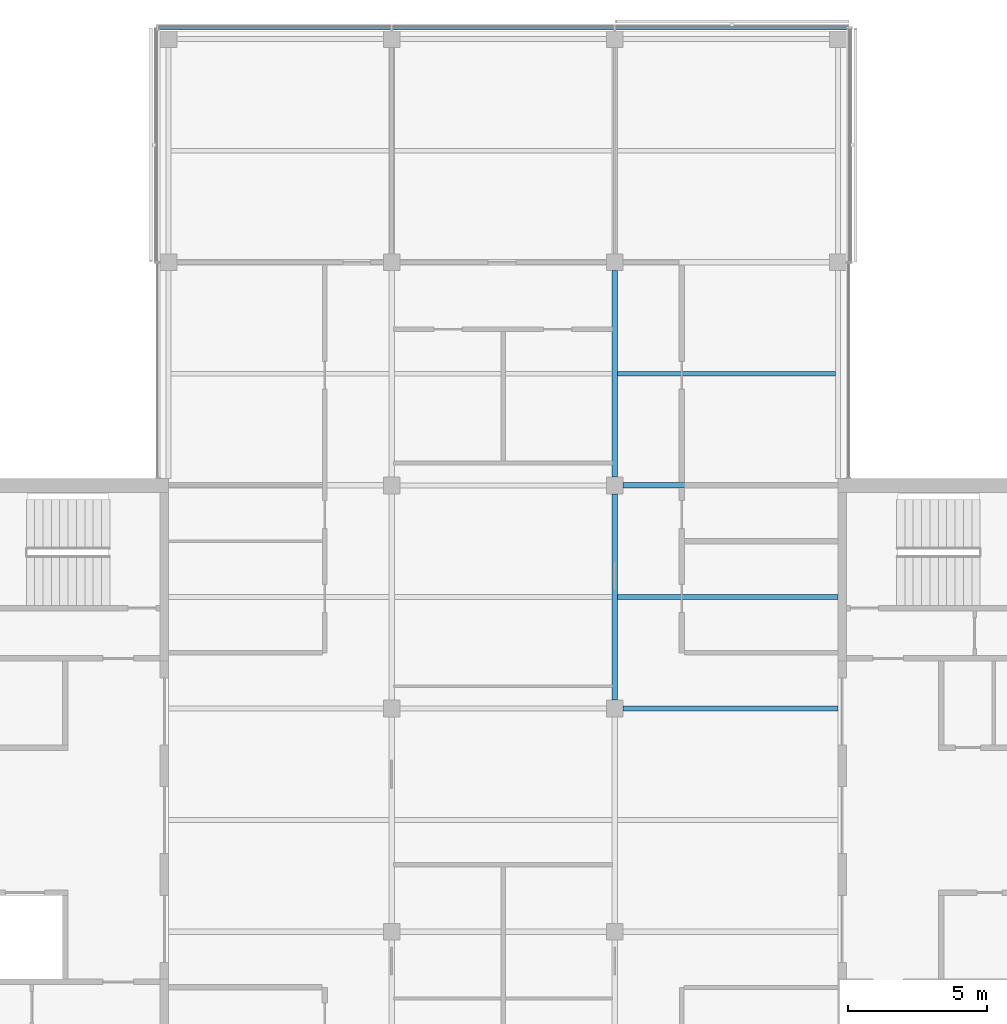
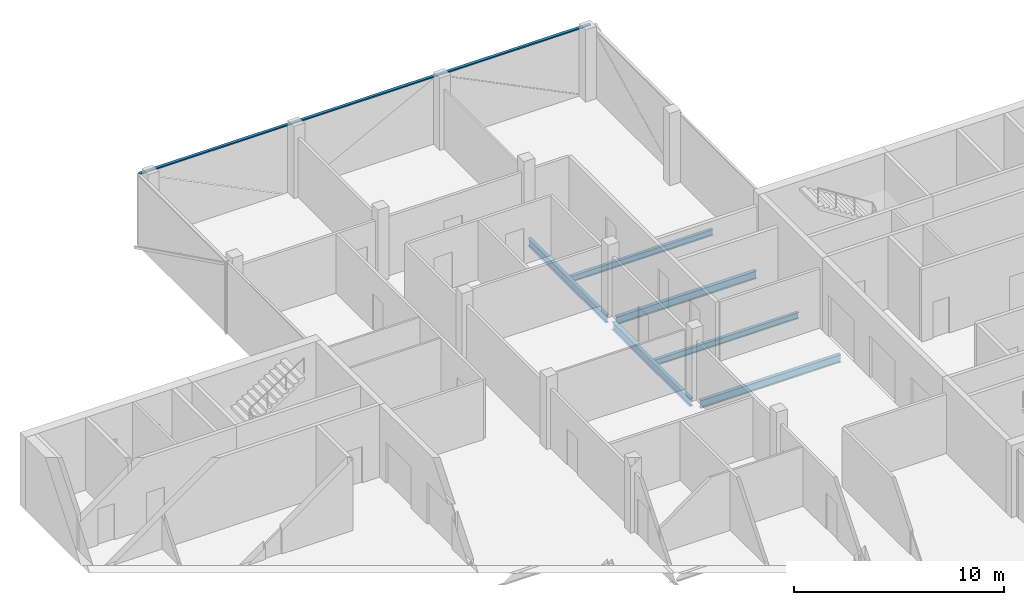
# One storey, part 6 of 16: 6 beams, 1 member, 1 element without a shape of its own.
"""IFC4 building model written with IfcOpenShell, lengths in metres."""

import ifcopenshell
import ifcopenshell.guid

model = None  # the IFC model being written
_history = None  # IfcOwnerHistory: only IFC2X3 demands one
_inside = {}  # id of a spatial element -> (the spatial element, [elements in it])
_under = {}  # id of a project, library or spatial element -> (it, [spatial elements below it])
_declared = {}  # id of a project -> (the project, [libraries it declares])
_typed = {}  # id of a type object -> (the type object, [elements of that type])
_made_of = {}  # id of a material, layer set ... -> (it, [elements and type objects made of it])


def new_model(schema):
    """Start an empty IFC model of exactly this schema.

    Asked for "IFC4X3", IfcOpenShell would pick the latest addendum, in which some entities
    have other attributes; the version numbers below select the first issue.
    IFC2X3 requires an IfcOwnerHistory on every rooted entity: one is made here for all.
    """
    global model, _history
    if schema == "IFC4X3":
        model = ifcopenshell.file(schema_version=(4, 3, 0, 0))
    else:
        model = ifcopenshell.file(schema=schema)
    _inside.clear()
    _under.clear()
    _declared.clear()
    _typed.clear()
    _made_of.clear()
    _history = None
    if model.schema == "IFC2X3":
        org = make("IfcOrganization", Name="unknown")
        user = make(
            "IfcPersonAndOrganization",
            ThePerson=make("IfcPerson", FamilyName="unknown"),
            TheOrganization=org,
        )
        app = make(
            "IfcApplication",
            ApplicationDeveloper=org,
            Version="unknown",
            ApplicationFullName="unknown",
            ApplicationIdentifier="unknown",
        )
        _history = make(
            "IfcOwnerHistory",
            OwningUser=user,
            OwningApplication=app,
            ChangeAction="ADDED",
            CreationDate=0,
        )
    return model


def make(cls, **values):
    """One entity of the class cls with the attributes given. An attribute that is None is left unset."""
    return model.create_entity(
        cls, **{name: value for name, value in values.items() if value is not None}
    )


def rooted(cls, **values):
    """An entity with a GlobalId (a new one), such as an element, a storey or a relation."""
    return make(cls, GlobalId=ifcopenshell.guid.new(), OwnerHistory=_history, **values)


def si_unit(unit_type, name, prefix=None):
    """IfcSIUnit, for example si_unit("LENGTHUNIT", "METRE", prefix="MILLI")."""
    return make("IfcSIUnit", UnitType=unit_type, Prefix=prefix, Name=name)


def assignment(units):
    """IfcUnitAssignment: the units of a project."""
    return None if units is None else make("IfcUnitAssignment", Units=units)


def point(xyz):
    """IfcCartesianPoint."""
    return None if xyz is None else make("IfcCartesianPoint", Coordinates=xyz)


def direction(xyz):
    """IfcDirection."""
    return None if xyz is None else make("IfcDirection", DirectionRatios=xyz)


def frame(location, z_axis=None, x_axis=None):
    """IfcAxis2Placement3D, a coordinate frame: its origin and axes. An axis left out is left unset."""
    return make(
        "IfcAxis2Placement3D",
        Location=point(location),
        Axis=direction(z_axis),
        RefDirection=direction(x_axis),
    )


def frame_2d(location, x_axis=None):
    """IfcAxis2Placement2D, a coordinate frame in the plane: its origin and x axis."""
    return make(
        "IfcAxis2Placement2D", Location=point(location), RefDirection=direction(x_axis)
    )


def origin():
    """The frame at (0, 0, 0) with its axes left unset."""
    return frame((0.0, 0.0, 0.0))


def origin_2d():
    """The frame at (0, 0) in the plane with its x axis left unset."""
    return frame_2d((0.0, 0.0))


def place(relative_to, where):
    """IfcLocalPlacement: puts the frame where relative to a parent placement (None: the world)."""
    return make(
        "IfcLocalPlacement", PlacementRelTo=relative_to, RelativePlacement=where
    )


def context(
    kind, dimensions, precision=None, world=None, true_north=None, identifier=None
):
    """IfcGeometricRepresentationContext, for example the 3D "Model" context."""
    return make(
        "IfcGeometricRepresentationContext",
        ContextIdentifier=identifier,
        ContextType=kind,
        CoordinateSpaceDimension=dimensions,
        Precision=precision,
        WorldCoordinateSystem=world,
        TrueNorth=true_north,
    )


def subcontext(parent, identifier, kind, view, scale=None):
    """IfcGeometricRepresentationSubContext, for example "Body" below "Model"."""
    return make(
        "IfcGeometricRepresentationSubContext",
        ContextIdentifier=identifier,
        ContextType=kind,
        ParentContext=parent,
        TargetScale=scale,
        TargetView=view,
    )


def project(units=None, contexts=None):
    """IfcProject with its units and contexts."""
    return rooted(
        "IfcProject",
        Name="project",
        RepresentationContexts=contexts,
        UnitsInContext=assignment(units),
    )


def spatial(cls, under=None, at=None, **own):
    """A site, building, storey or space (cls), placed at a placement, below another one or the project."""
    s = rooted(cls, ObjectPlacement=at, **own)
    if under is not None:
        _under.setdefault(under.id(), (under, []))[1].append(s)
    return s


def profile(cls, at=None, kind="AREA", **sizes):
    """A parametric profile (cls). Its sizes go by their IFC names, for example OverallWidth=200.0."""
    return make(cls, ProfileType=kind, Position=at, **sizes)


def rectangle(**sizes):
    """IfcRectangleProfileDef."""
    return profile("IfcRectangleProfileDef", **sizes)


def i_section(**sizes):
    """IfcIShapeProfileDef."""
    return profile("IfcIShapeProfileDef", **sizes)


def extrude(swept, where, along, depth):
    """IfcExtrudedAreaSolid: the profile swept, set in the frame where, extruded along a direction by depth."""
    return make(
        "IfcExtrudedAreaSolid",
        SweptArea=swept,
        Position=where,
        ExtrudedDirection=direction(along),
        Depth=depth,
    )


def shape(context_of_items, identifier, shape_type, items):
    """IfcShapeRepresentation: the items that make up one representation, for example the "Body"."""
    return make(
        "IfcShapeRepresentation",
        ContextOfItems=context_of_items,
        RepresentationIdentifier=identifier,
        RepresentationType=shape_type,
        Items=items,
    )


def material(Name=None, Category=None):
    """IfcMaterial."""
    return make("IfcMaterial", Name=Name, Category=Category)


def material_profile(
    of_material, cross_section, Name=None, Category=None, Priority=None
):
    """IfcMaterialProfile: a cross section and its material."""
    return make(
        "IfcMaterialProfile",
        Name=Name,
        Material=of_material,
        Profile=cross_section,
        Priority=Priority,
        Category=Category,
    )


def profile_set(profiles, Name=None, composite=None):
    """IfcMaterialProfileSet."""
    return make(
        "IfcMaterialProfileSet",
        Name=Name,
        MaterialProfiles=profiles,
        CompositeProfile=composite,
    )


def made_of(thing, what):
    """Note that an element or type object is made of a material, layer set ...; save() writes the relation."""
    if what is not None:
        _made_of.setdefault(what.id(), (what, []))[1].append(thing)
    return thing


def type_object(cls, material=None, **own):
    """A type object (cls), such as IfcWallType, which elements share."""
    return made_of(rooted(cls, **own), material)


def element(
    cls,
    number,
    at=None,
    inside=None,
    cuts=None,
    type_object=None,
    material=None,
    context=None,
    identifier="Body",
    shape_type=None,
    held_by="IfcProductDefinitionShape",
    body=None,
    shapes=None,
    **own,
):
    """One element of the class cls, such as IfcWall. Its Tag is "e" and its number.

    at: its placement. inside: the storey or other place that contains it. cuts: it is an
    opening in that element (IfcRelVoidsElement). A single representation is given by context,
    identifier, shape_type and body (its items); several are given by shapes. held_by: the class
    of the entity that holds the representations. save() writes the other relations.
    """
    e = rooted(cls, Tag="e%d" % number, ObjectPlacement=at, **own)
    if body is not None:
        shapes = [shape(context, identifier, shape_type, body)]
    if shapes is not None:
        e.Representation = make(held_by, Representations=shapes)
    if inside is not None:
        _inside.setdefault(inside.id(), (inside, []))[1].append(e)
    if cuts is not None:
        rooted(
            "IfcRelVoidsElement", RelatingBuildingElement=cuts, RelatedOpeningElement=e
        )
    if type_object is not None:
        _typed.setdefault(type_object.id(), (type_object, []))[1].append(e)
    return made_of(e, material)


def aggregate(whole, parts):
    """IfcRelAggregates: a whole, such as a stair, and the parts it consists of."""
    return rooted("IfcRelAggregates", RelatingObject=whole, RelatedObjects=parts)


def save(model, path):
    """Write the relations noted so far, then the file.

    IfcRelAggregates (storeys below a building ...), IfcRelContainedInSpatialStructure (elements
    in a storey), IfcRelDefinesByType, IfcRelAssociatesMaterial and IfcRelDeclares: one each for
    every whole, place, type object, material and project.
    """
    for whole, parts in _under.values():
        aggregate(whole, parts)
    for where, things in _inside.values():
        rooted(
            "IfcRelContainedInSpatialStructure",
            RelatedElements=things,
            RelatingStructure=where,
        )
    for kind, things in _typed.values():
        rooted("IfcRelDefinesByType", RelatedObjects=things, RelatingType=kind)
    for what, things in _made_of.values():
        rooted("IfcRelAssociatesMaterial", RelatedObjects=things, RelatingMaterial=what)
    for by, libraries in _declared.values():
        rooted("IfcRelDeclares", RelatingContext=by, RelatedDefinitions=libraries)
    model.write(path)


model = new_model("IFC4")

# Units and contexts
model_context = context("Model", 3, precision=1e-05, world=origin(), true_north=direction((0.0, 1.0)))
body_context = subcontext(model_context, "Body", "Model", "MODEL_VIEW")
ifc_project = project(units=[si_unit("LENGTHUNIT", "METRE"), si_unit("AREAUNIT", "SQUARE_METRE"), si_unit("VOLUMEUNIT", "CUBIC_METRE"), si_unit("PLANEANGLEUNIT", "RADIAN"), si_unit("MASSUNIT", "GRAM", prefix="KILO")], contexts=[model_context])

# Site, building, storey
site_placement = place(None, origin())
site = spatial("IfcSite", under=ifc_project, at=site_placement, CompositionType="ELEMENT")
building_placement = place(site_placement, origin())
building = spatial("IfcBuilding", under=site, at=building_placement, Name="Crosswind Convention Tower", CompositionType="ELEMENT")
storey_placement = place(building_placement, frame((0.0, 0.0, 336.5)))
storey = spatial("IfcBuildingStorey", under=building, at=storey_placement, Name="L73", CompositionType="ELEMENT", Elevation=336.5)

# Beams
ifc_material_1 = material(Name="Steel S355", Category="steel")
ifc_material_profile_1 = material_profile(ifc_material_1, i_section(OverallWidth=0.18994140625, OverallDepth=0.45361328125, WebThickness=0.008544921875, FlangeThickness=0.0126953125, FilletRadius=0.01025390625, at=origin_2d()), Name="UB 457x191x67")
ifc_profile_set_1 = profile_set([ifc_material_profile_1], Name="Steel S355")
beam_type_1 = type_object("IfcBeamType", Name="Girder UB 457x191x67", PredefinedType="BEAM", material=ifc_profile_set_1)
for number, where, z_axis, x_axis, name in (
    (1, (129.0, 104.300048828125, -0.52685546875), (0.0, 1.0, 0.0), (-1.0, 0.0, 0.0), "B1 L73 girder 20"),
    (2, (129.0, 112.300048828125, -0.52685546875), (0.0, 1.0, 0.0), (-1.0, 0.0, 0.0), "B1 L73 girder 21"),
):
    element("IfcBeam", number, at=place(storey_placement, frame(where, z_axis=z_axis, x_axis=x_axis)), inside=storey, type_object=beam_type_1, Name=name, PredefinedType="BEAM", context=body_context, shape_type="SweptSolid", body=[
        extrude(i_section(OverallWidth=0.18994140625, OverallDepth=0.45361328125, WebThickness=0.008544921875, FlangeThickness=0.0126953125, FilletRadius=0.01025390625, at=origin_2d()), origin(), (0.0, 0.0, 1.0), 7.39990234375),
    ])
ifc_material_profile_2 = material_profile(ifc_material_1, i_section(OverallWidth=0.1904296875, OverallDepth=0.457275390625, WebThickness=0.009033203125, FlangeThickness=0.014404296875, FilletRadius=0.01025390625, at=origin_2d()), Name="UB 457x191x75")
ifc_profile_set_2 = profile_set([ifc_material_profile_2], Name="Steel S355")
beam_type_2 = type_object("IfcBeamType", Name="Girder at core wall UB 457x191x75", PredefinedType="BEAM", material=ifc_profile_set_2)
for number, where, z_axis, x_axis, name in (
    (3, (129.300048828125, 104.0, -0.528564453125), (1.0, 0.0, 0.0), (0.0, 1.0, 0.0), "B22 L73 girder at core wall 7"),
    (4, (129.300048828125, 112.0, -0.528564453125), (1.0, 0.0, 0.0), (0.0, 1.0, 0.0), "B22 L73 girder at core wall 8"),
):
    element("IfcBeam", number, at=place(storey_placement, frame(where, z_axis=z_axis, x_axis=x_axis)), inside=storey, type_object=beam_type_2, Name=name, PredefinedType="BEAM", context=body_context, shape_type="SweptSolid", body=[
        extrude(i_section(OverallWidth=0.1904296875, OverallDepth=0.457275390625, WebThickness=0.009033203125, FlangeThickness=0.014404296875, FilletRadius=0.01025390625, at=origin_2d()), origin(), (0.0, 0.0, 1.0), 7.699951171875),
    ])
ifc_material_profile_3 = material_profile(ifc_material_1, i_section(OverallWidth=0.17138671875, OverallDepth=0.355712890625, WebThickness=0.00732421875, FlangeThickness=0.011474609375, FilletRadius=0.01025390625, at=origin_2d()), Name="UB 356x171x51")
ifc_profile_set_3 = profile_set([ifc_material_profile_3], Name="Steel S355")
beam_type_3 = type_object("IfcBeamType", Name="Secondary beam UB 356x171x51", PredefinedType="JOIST", material=ifc_profile_set_3)
beam_1_placement = place(storey_placement, frame((129.094970703125, 108.0, -0.477783203125), z_axis=(1.0, 0.0, 0.0), x_axis=(0.0, 1.0, 0.0)))
element("IfcBeam", 5, at=beam_1_placement, inside=storey, type_object=beam_type_3, Name="B8 L73 secondary beam 19", PredefinedType="JOIST", context=body_context, shape_type="SweptSolid", body=[
    extrude(i_section(OverallWidth=0.17138671875, OverallDepth=0.355712890625, WebThickness=0.00732421875, FlangeThickness=0.011474609375, FilletRadius=0.01025390625, at=origin_2d()), origin(), (0.0, 0.0, 1.0), 7.905029296875),
])
beam_2_placement = place(storey_placement, frame((129.094970703125, 116.0, -0.477783203125), z_axis=(1.0, 0.0, 0.0), x_axis=(0.0, 1.0, 0.0)))
element("IfcBeam", 6, at=beam_2_placement, inside=storey, type_object=beam_type_3, Name="B8 L73 secondary beam 20", PredefinedType="JOIST", context=body_context, shape_type="SweptSolid", body=[
    extrude(i_section(OverallWidth=0.17138671875, OverallDepth=0.355712890625, WebThickness=0.00732421875, FlangeThickness=0.011474609375, FilletRadius=0.01025390625, at=origin_2d()), origin(), (0.0, 0.0, 1.0), 7.816162109375),
])

# Curtain wall, member
ifc_material_2 = material(Name="Aluminium unitised curtain wall", Category="aluminium")
curtain_wall_type = type_object("IfcCurtainWallType", Name="OFFICE UNITISED WALL 220", PredefinedType="USERDEFINED", material=ifc_material_2)
curtain_wall_placement = place(storey_placement, origin())
curtain_wall = element("IfcCurtainWall", 7, at=curtain_wall_placement, inside=storey, type_object=curtain_wall_type, Name="CW3 L73 N-TIP 1", ObjectType="UNITISED", PredefinedType="USERDEFINED")
ifc_material_3 = material(Name="Aluminium transom", Category="aluminium")
ifc_material_profile_4 = material_profile(ifc_material_3, rectangle(XDim=0.159912109375, YDim=0.070068359375, at=origin_2d()), Name="AL 160X70")
ifc_profile_set_4 = profile_set([ifc_material_profile_4], Name="Aluminium transom")
member_type = type_object("IfcMemberType", Name="TRANSOM 70X160", PredefinedType="USERDEFINED", material=ifc_profile_set_4)
member_placement = place(storey_placement, frame((137.375, 128.409912109375, 3.864990234375), z_axis=(-1.0, 0.0, 0.0), x_axis=(0.0, -1.0, 0.0)))
member = element("IfcMember", 8, at=member_placement, type_object=member_type, Name="CW3 transom", ObjectType="TRANSOM", PredefinedType="USERDEFINED", context=body_context, shape_type="SweptSolid", body=[
    extrude(rectangle(XDim=0.159912109375, YDim=0.070068359375, at=origin_2d()), origin(), (0.0, 0.0, 1.0), 24.75),
])
aggregate(curtain_wall, [member])

save(model, "model.ifc")
